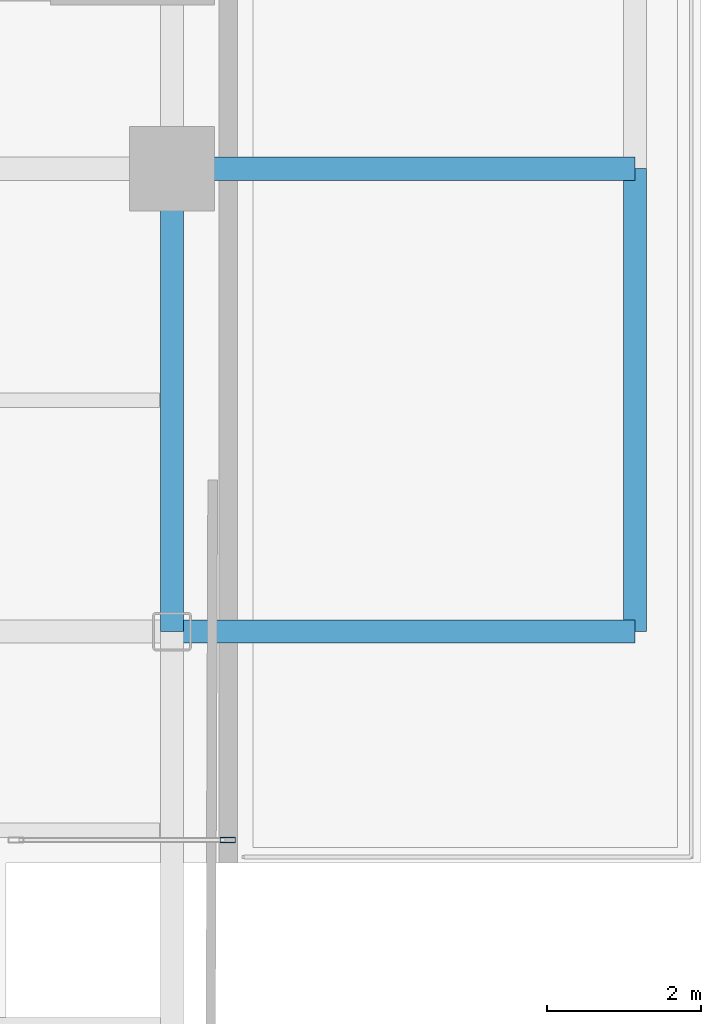
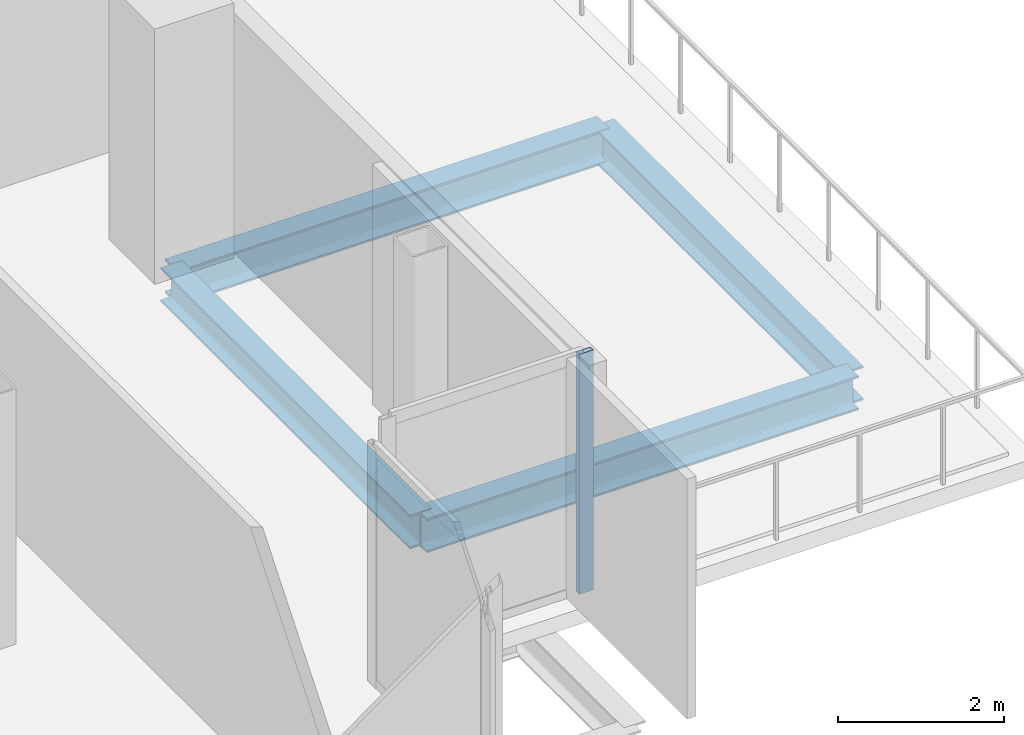
# One storey, part 12 of 26: 4 beams, 1 member, 1 element without a shape of its own.
"""IFC4 building model written with IfcOpenShell, lengths in metres."""

import ifcopenshell
import ifcopenshell.guid

model = None  # the IFC model being written
_history = None  # IfcOwnerHistory: only IFC2X3 demands one
_inside = {}  # id of a spatial element -> (the spatial element, [elements in it])
_under = {}  # id of a project, library or spatial element -> (it, [spatial elements below it])
_declared = {}  # id of a project -> (the project, [libraries it declares])
_typed = {}  # id of a type object -> (the type object, [elements of that type])
_made_of = {}  # id of a material, layer set ... -> (it, [elements and type objects made of it])


def new_model(schema):
    """Start an empty IFC model of exactly this schema.

    Asked for "IFC4X3", IfcOpenShell would pick the latest addendum, in which some entities
    have other attributes; the version numbers below select the first issue.
    IFC2X3 requires an IfcOwnerHistory on every rooted entity: one is made here for all.
    """
    global model, _history
    if schema == "IFC4X3":
        model = ifcopenshell.file(schema_version=(4, 3, 0, 0))
    else:
        model = ifcopenshell.file(schema=schema)
    _inside.clear()
    _under.clear()
    _declared.clear()
    _typed.clear()
    _made_of.clear()
    _history = None
    if model.schema == "IFC2X3":
        org = make("IfcOrganization", Name="unknown")
        user = make(
            "IfcPersonAndOrganization",
            ThePerson=make("IfcPerson", FamilyName="unknown"),
            TheOrganization=org,
        )
        app = make(
            "IfcApplication",
            ApplicationDeveloper=org,
            Version="unknown",
            ApplicationFullName="unknown",
            ApplicationIdentifier="unknown",
        )
        _history = make(
            "IfcOwnerHistory",
            OwningUser=user,
            OwningApplication=app,
            ChangeAction="ADDED",
            CreationDate=0,
        )
    return model


def make(cls, **values):
    """One entity of the class cls with the attributes given. An attribute that is None is left unset."""
    return model.create_entity(
        cls, **{name: value for name, value in values.items() if value is not None}
    )


def rooted(cls, **values):
    """An entity with a GlobalId (a new one), such as an element, a storey or a relation."""
    return make(cls, GlobalId=ifcopenshell.guid.new(), OwnerHistory=_history, **values)


def si_unit(unit_type, name, prefix=None):
    """IfcSIUnit, for example si_unit("LENGTHUNIT", "METRE", prefix="MILLI")."""
    return make("IfcSIUnit", UnitType=unit_type, Prefix=prefix, Name=name)


def assignment(units):
    """IfcUnitAssignment: the units of a project."""
    return None if units is None else make("IfcUnitAssignment", Units=units)


def point(xyz):
    """IfcCartesianPoint."""
    return None if xyz is None else make("IfcCartesianPoint", Coordinates=xyz)


def direction(xyz):
    """IfcDirection."""
    return None if xyz is None else make("IfcDirection", DirectionRatios=xyz)


def frame(location, z_axis=None, x_axis=None):
    """IfcAxis2Placement3D, a coordinate frame: its origin and axes. An axis left out is left unset."""
    return make(
        "IfcAxis2Placement3D",
        Location=point(location),
        Axis=direction(z_axis),
        RefDirection=direction(x_axis),
    )


def frame_2d(location, x_axis=None):
    """IfcAxis2Placement2D, a coordinate frame in the plane: its origin and x axis."""
    return make(
        "IfcAxis2Placement2D", Location=point(location), RefDirection=direction(x_axis)
    )


def origin():
    """The frame at (0, 0, 0) with its axes left unset."""
    return frame((0.0, 0.0, 0.0))


def origin_2d():
    """The frame at (0, 0) in the plane with its x axis left unset."""
    return frame_2d((0.0, 0.0))


def place(relative_to, where):
    """IfcLocalPlacement: puts the frame where relative to a parent placement (None: the world)."""
    return make(
        "IfcLocalPlacement", PlacementRelTo=relative_to, RelativePlacement=where
    )


def context(
    kind, dimensions, precision=None, world=None, true_north=None, identifier=None
):
    """IfcGeometricRepresentationContext, for example the 3D "Model" context."""
    return make(
        "IfcGeometricRepresentationContext",
        ContextIdentifier=identifier,
        ContextType=kind,
        CoordinateSpaceDimension=dimensions,
        Precision=precision,
        WorldCoordinateSystem=world,
        TrueNorth=true_north,
    )


def subcontext(parent, identifier, kind, view, scale=None):
    """IfcGeometricRepresentationSubContext, for example "Body" below "Model"."""
    return make(
        "IfcGeometricRepresentationSubContext",
        ContextIdentifier=identifier,
        ContextType=kind,
        ParentContext=parent,
        TargetScale=scale,
        TargetView=view,
    )


def project(units=None, contexts=None):
    """IfcProject with its units and contexts."""
    return rooted(
        "IfcProject",
        Name="project",
        RepresentationContexts=contexts,
        UnitsInContext=assignment(units),
    )


def spatial(cls, under=None, at=None, **own):
    """A site, building, storey or space (cls), placed at a placement, below another one or the project."""
    s = rooted(cls, ObjectPlacement=at, **own)
    if under is not None:
        _under.setdefault(under.id(), (under, []))[1].append(s)
    return s


def profile(cls, at=None, kind="AREA", **sizes):
    """A parametric profile (cls). Its sizes go by their IFC names, for example OverallWidth=200.0."""
    return make(cls, ProfileType=kind, Position=at, **sizes)


def hollow_rectangle(**sizes):
    """IfcRectangleHollowProfileDef."""
    return profile("IfcRectangleHollowProfileDef", **sizes)


def i_section(**sizes):
    """IfcIShapeProfileDef."""
    return profile("IfcIShapeProfileDef", **sizes)


def extrude(swept, where, along, depth):
    """IfcExtrudedAreaSolid: the profile swept, set in the frame where, extruded along a direction by depth."""
    return make(
        "IfcExtrudedAreaSolid",
        SweptArea=swept,
        Position=where,
        ExtrudedDirection=direction(along),
        Depth=depth,
    )


def shape(context_of_items, identifier, shape_type, items):
    """IfcShapeRepresentation: the items that make up one representation, for example the "Body"."""
    return make(
        "IfcShapeRepresentation",
        ContextOfItems=context_of_items,
        RepresentationIdentifier=identifier,
        RepresentationType=shape_type,
        Items=items,
    )


def material(Name=None, Category=None):
    """IfcMaterial."""
    return make("IfcMaterial", Name=Name, Category=Category)


def layer(
    of_material, thickness, ventilated=None, Name=None, Category=None, Priority=None
):
    """IfcMaterialLayer: one layer of a wall or slab, of a material (None: an air gap)."""
    return make(
        "IfcMaterialLayer",
        Material=of_material,
        LayerThickness=thickness,
        IsVentilated=ventilated,
        Name=Name,
        Category=Category,
        Priority=Priority,
    )


def layer_set(layers, Name=None):
    """IfcMaterialLayerSet."""
    return make("IfcMaterialLayerSet", MaterialLayers=layers, LayerSetName=Name)


def material_profile(
    of_material, cross_section, Name=None, Category=None, Priority=None
):
    """IfcMaterialProfile: a cross section and its material."""
    return make(
        "IfcMaterialProfile",
        Name=Name,
        Material=of_material,
        Profile=cross_section,
        Priority=Priority,
        Category=Category,
    )


def profile_set(profiles, Name=None, composite=None):
    """IfcMaterialProfileSet."""
    return make(
        "IfcMaterialProfileSet",
        Name=Name,
        MaterialProfiles=profiles,
        CompositeProfile=composite,
    )


def made_of(thing, what):
    """Note that an element or type object is made of a material, layer set ...; save() writes the relation."""
    if what is not None:
        _made_of.setdefault(what.id(), (what, []))[1].append(thing)
    return thing


def type_object(cls, material=None, **own):
    """A type object (cls), such as IfcWallType, which elements share."""
    return made_of(rooted(cls, **own), material)


def element(
    cls,
    number,
    at=None,
    inside=None,
    cuts=None,
    type_object=None,
    material=None,
    context=None,
    identifier="Body",
    shape_type=None,
    held_by="IfcProductDefinitionShape",
    body=None,
    shapes=None,
    **own,
):
    """One element of the class cls, such as IfcWall. Its Tag is "e" and its number.

    at: its placement. inside: the storey or other place that contains it. cuts: it is an
    opening in that element (IfcRelVoidsElement). A single representation is given by context,
    identifier, shape_type and body (its items); several are given by shapes. held_by: the class
    of the entity that holds the representations. save() writes the other relations.
    """
    e = rooted(cls, Tag="e%d" % number, ObjectPlacement=at, **own)
    if body is not None:
        shapes = [shape(context, identifier, shape_type, body)]
    if shapes is not None:
        e.Representation = make(held_by, Representations=shapes)
    if inside is not None:
        _inside.setdefault(inside.id(), (inside, []))[1].append(e)
    if cuts is not None:
        rooted(
            "IfcRelVoidsElement", RelatingBuildingElement=cuts, RelatedOpeningElement=e
        )
    if type_object is not None:
        _typed.setdefault(type_object.id(), (type_object, []))[1].append(e)
    return made_of(e, material)


def aggregate(whole, parts):
    """IfcRelAggregates: a whole, such as a stair, and the parts it consists of."""
    return rooted("IfcRelAggregates", RelatingObject=whole, RelatedObjects=parts)


def save(model, path):
    """Write the relations noted so far, then the file.

    IfcRelAggregates (storeys below a building ...), IfcRelContainedInSpatialStructure (elements
    in a storey), IfcRelDefinesByType, IfcRelAssociatesMaterial and IfcRelDeclares: one each for
    every whole, place, type object, material and project.
    """
    for whole, parts in _under.values():
        aggregate(whole, parts)
    for where, things in _inside.values():
        rooted(
            "IfcRelContainedInSpatialStructure",
            RelatedElements=things,
            RelatingStructure=where,
        )
    for kind, things in _typed.values():
        rooted("IfcRelDefinesByType", RelatedObjects=things, RelatingType=kind)
    for what, things in _made_of.values():
        rooted("IfcRelAssociatesMaterial", RelatedObjects=things, RelatingMaterial=what)
    for by, libraries in _declared.values():
        rooted("IfcRelDeclares", RelatingContext=by, RelatedDefinitions=libraries)
    model.write(path)


model = new_model("IFC4")

# Units and contexts
model_context = context("Model", 3, precision=1e-05, world=origin(), true_north=direction((0.0, 1.0)))
body_context = subcontext(model_context, "Body", "Model", "MODEL_VIEW")
ifc_project = project(units=[si_unit("LENGTHUNIT", "METRE"), si_unit("AREAUNIT", "SQUARE_METRE"), si_unit("VOLUMEUNIT", "CUBIC_METRE"), si_unit("PLANEANGLEUNIT", "RADIAN"), si_unit("MASSUNIT", "GRAM", prefix="KILO"), si_unit("THERMODYNAMICTEMPERATUREUNIT", "KELVIN"), si_unit("POWERUNIT", "WATT")], contexts=[model_context])

# Site, building, storey
site_placement = place(None, origin())
site = spatial("IfcSite", under=ifc_project, at=site_placement, CompositionType="ELEMENT")
building_placement = place(site_placement, origin())
building = spatial("IfcBuilding", under=site, at=building_placement, Name="Svarakhadi Broadcast Tower", CompositionType="ELEMENT")
storey_placement = place(building_placement, frame((0.0, 0.0, 99.60009765625)))
storey = spatial("IfcBuildingStorey", under=building, at=storey_placement, Name="L23", CompositionType="ELEMENT", Elevation=99.60009765625)

# Curtain wall, member
ifc_material_1 = material(Name="Anodised Bronze Aluminium AA 6063-T6", Category="aluminium")
ifc_layer = layer(ifc_material_1, 0.199951171875)
ifc_layer_set = layer_set([ifc_layer], Name="Anodised Bronze Aluminium AA 6063-T6")
curtain_wall_type = type_object("IfcCurtainWallType", Name="CW_Sys_03", PredefinedType="NOTDEFINED", material=ifc_layer_set)
curtain_wall_placement = place(storey_placement, origin())
curtain_wall = element("IfcCurtainWall", 1, at=curtain_wall_placement, inside=storey, type_object=curtain_wall_type, Name="L23 Unitised Facade Curtain Wall 12", PredefinedType="NOTDEFINED")
ifc_material_profile_1 = material_profile(ifc_material_1, hollow_rectangle(XDim=0.074951171875, YDim=0.199951171875, WallThickness=0.005615234375, at=origin_2d()), Name="ALU MULLION 200x75x6")
ifc_profile_set_1 = profile_set([ifc_material_profile_1], Name="Anodised Bronze Aluminium AA 6063-T6")
member_type = type_object("IfcMemberType", Name="CW_Sys_03_Mul", PredefinedType="MULLION", material=ifc_profile_set_1)
member_placement = place(storey_placement, frame((47.87255859375, 3.300048828125, 0.0), z_axis=(0.0, 0.0, 1.0), x_axis=(0.0, -1.0, 0.0)))
member = element("IfcMember", 2, at=member_placement, type_object=member_type, Name="CW-03 mullion 1", PredefinedType="MULLION", context=body_context, shape_type="SweptSolid", body=[
    extrude(hollow_rectangle(XDim=0.074951171875, YDim=0.199951171875, WallThickness=0.005615234375, at=origin_2d()), origin(), (0.0, 0.0, 1.0), 3.52490234375),
])
aggregate(curtain_wall, [member])

# Beams
ifc_material_2 = material(Name="Steel S355J2 (IS 2062 E350C)", Category="steel")
ifc_material_profile_2 = material_profile(ifc_material_2, i_section(OverallWidth=0.300048828125, OverallDepth=0.5, WebThickness=0.014404296875, FlangeThickness=0.028076171875, FilletRadius=0.027099609375, at=origin_2d()), Name="WPB 500x300x187")
ifc_profile_set_2 = profile_set([ifc_material_profile_2], Name="Steel S355J2 (IS 2062 E350C)")
beam_type = type_object("IfcBeamType", Name="Girder_WPB500", PredefinedType="USERDEFINED", material=ifc_profile_set_2)
for number, where, z_axis, x_axis, name in (
    (3, (47.14990234375, 6.0, -0.489990234375), (1.0, 0.0, 0.0), (0.0, 1.0, 0.0), "L23 East Setback Terrace Bearer Girder"),
    (4, (47.14990234375, 12.0, -0.489990234375), (1.0, 0.0, 0.0), (0.0, 1.0, 0.0), "L23 East Setback Terrace Bearer Girder"),
    (5, (53.14990234375, 6.0, -0.489990234375), (0.0, 1.0, 0.0), (-1.0, 0.0, 0.0), "L23 East Setback Terrace Rim Girder 1"),
    (6, (47.14990234375, 6.0, -0.47509765625), (0.0, 1.0, 0.0), (-1.0, 0.0, 0.0), "L23 Primary N-S Girder G077"),
):
    element("IfcBeam", number, at=place(storey_placement, frame(where, z_axis=z_axis, x_axis=x_axis)), inside=storey, type_object=beam_type, Name=name, ObjectType="GIRDER", PredefinedType="USERDEFINED", context=body_context, shape_type="SweptSolid", body=[
        extrude(i_section(OverallWidth=0.300048828125, OverallDepth=0.5, WebThickness=0.014404296875, FlangeThickness=0.028076171875, FilletRadius=0.027099609375, at=origin_2d()), origin(), (0.0, 0.0, 1.0), 6.0),
    ])

save(model, "model.ifc")
